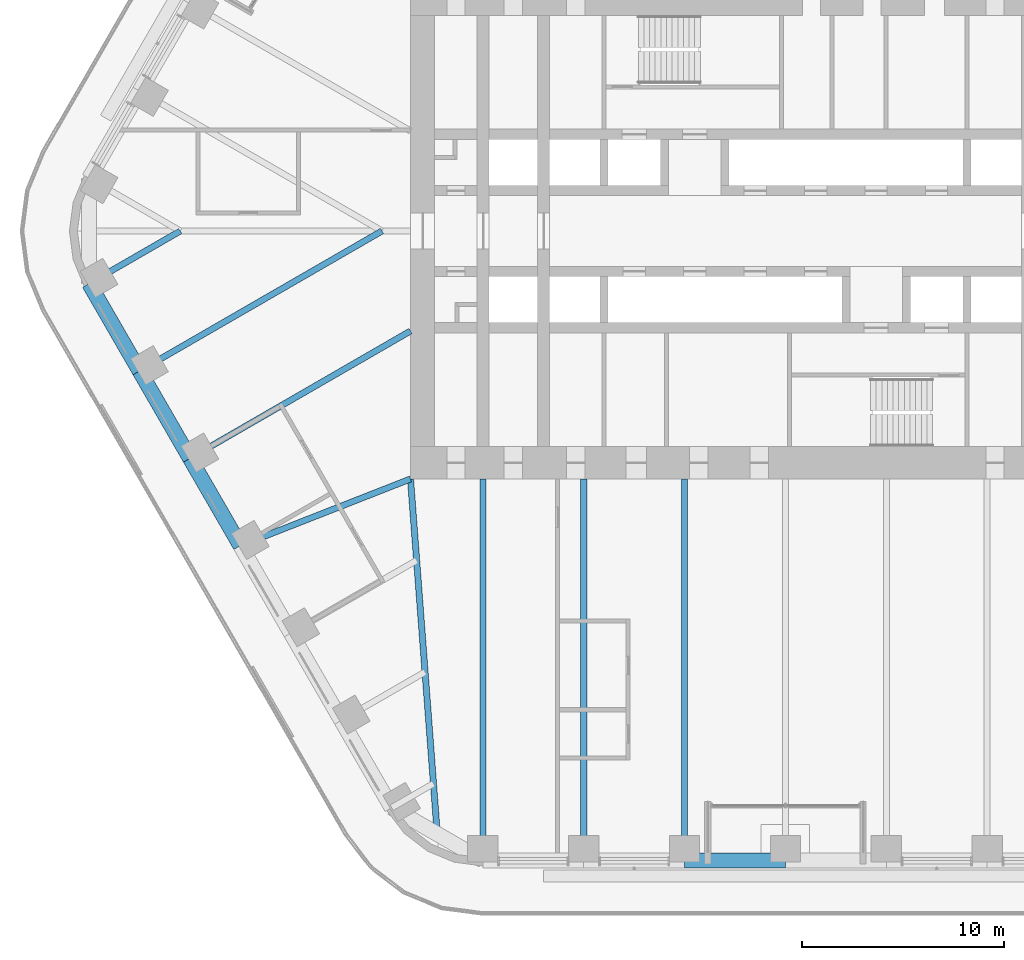
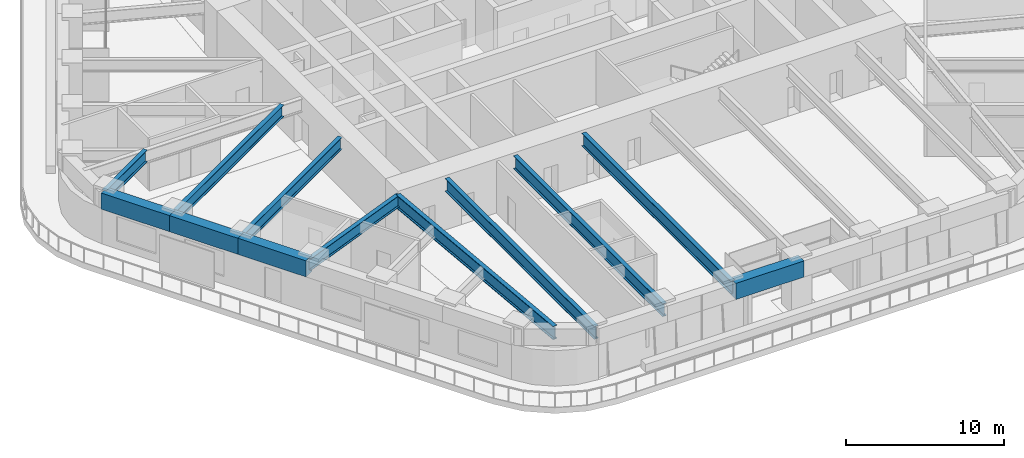
# One storey, part 3 of 24: 12 beams.
"""IFC4 building model written with IfcOpenShell, lengths in metres."""

from ifc_helpers import new_model, si_unit, direction, frame, origin, origin_2d, place, context, subcontext, project, spatial, rectangle, i_section, extrude, material, material_profile, profile_set, type_object, element, save


model = new_model("IFC4")

# Units and contexts
model_context = context("Model", 3, precision=1e-05, world=origin(), true_north=direction((0.0, 1.0)))
body_context = subcontext(model_context, "Body", "Model", "MODEL_VIEW")
ifc_project = project(units=[si_unit("LENGTHUNIT", "METRE"), si_unit("AREAUNIT", "SQUARE_METRE"), si_unit("VOLUMEUNIT", "CUBIC_METRE"), si_unit("PLANEANGLEUNIT", "RADIAN"), si_unit("MASSUNIT", "GRAM", prefix="KILO")], contexts=[model_context])

# Site, building, storey
site_placement = place(None, origin())
site = spatial("IfcSite", under=ifc_project, at=site_placement, CompositionType="ELEMENT")
building_placement = place(site_placement, origin())
building = spatial("IfcBuilding", under=site, at=building_placement, Name="Tarfa Lantern Tower", CompositionType="ELEMENT")
storey_placement = place(building_placement, frame((0.0, 0.0, 186.699951171875)))
storey = spatial("IfcBuildingStorey", under=building, at=storey_placement, Name="L42", CompositionType="ELEMENT", Elevation=186.699951171875)

# Beams
ifc_material_1 = material(Name="Concrete C80/95", Category="concrete")
ifc_material_profile_1 = material_profile(ifc_material_1, rectangle(XDim=0.75, YDim=1.25, at=origin_2d()), Name="RC 750x1250")
ifc_profile_set_1 = profile_set([ifc_material_profile_1], Name="Concrete C80/95")
beam_type_1 = type_object("IfcBeamType", Name="EB2 RC 750x1250", PredefinedType="SPANDREL", material=ifc_profile_set_1)
for number, where, z_axis, x_axis, name in (
    (1, (-34.54296875, -2.610107421875, 3.375), (0.500022324899, -0.866012514114, 0.0), (0.866012514114, 0.500022324899, 0.0), "Edge beam SW0"),
    (2, (-32.041015625, -6.943359375, 3.375), (0.500022324899, -0.866012514114, 0.0), (0.866012514114, 0.500022324899, 0.0), "Edge beam SW1"),
    (3, (-29.5390625, -11.276611328125, 3.375), (0.499964603504, -0.866045838996, 0.0), (0.866045838996, 0.499964603504, 0.0), "Edge beam SW2"),
    (4, (-5.003662109375, -31.219970703125, 3.375), (1.0, 0.0, 0.0), (0.0, 1.0, 0.0), "Edge beam S2"),
):
    element("IfcBeam", number, at=place(storey_placement, frame(where, z_axis=z_axis, x_axis=x_axis)), inside=storey, type_object=beam_type_1, Name=name, PredefinedType="SPANDREL", context=body_context, shape_type="SweptSolid", body=[
        extrude(rectangle(XDim=0.75, YDim=1.25, at=origin_2d()), origin(), (0.0, 0.0, 1.0), 5.003662109375),
    ])
ifc_material_2 = material(Name="Steel S460M", Category="steel")
ifc_material_profile_2 = material_profile(ifc_material_2, i_section(OverallWidth=0.302001953125, OverallDepth=1.008056640625, WebThickness=0.02099609375, FlangeThickness=0.0400390625, FilletRadius=0.030029296875, at=origin_2d()), Name="UB1016x305x349")
ifc_profile_set_2 = profile_set([ifc_material_profile_2], Name="Steel S460M")
beam_type_2 = type_object("IfcBeamType", Name="UB1016x305x349", PredefinedType="BEAM", material=ifc_profile_set_2)
for number, where, z_axis, x_axis, name in (
    (5, (-15.010986328125, -31.219970703125, 3.49609375), (0.0, 1.0, 0.0), (-1.0, 0.0, 0.0), "Floor beam S0"),
    (6, (-10.00732421875, -31.219970703125, 3.49609375), (0.0, 1.0, 0.0), (-1.0, 0.0, 0.0), "Floor beam S1"),
    (7, (-5.003662109375, -31.219970703125, 3.49609375), (0.0, 1.0, 0.0), (-1.0, 0.0, 0.0), "Floor beam S2"),
):
    element("IfcBeam", number, at=place(storey_placement, frame(where, z_axis=z_axis, x_axis=x_axis)), inside=storey, type_object=beam_type_2, Name=name, PredefinedType="BEAM", context=body_context, shape_type="SweptSolid", body=[
        extrude(i_section(OverallWidth=0.302001953125, OverallDepth=1.008056640625, WebThickness=0.02099609375, FlangeThickness=0.0400390625, FilletRadius=0.030029296875, at=origin_2d()), origin(), (0.0, 0.0, 1.0), 18.919921875),
    ])
ifc_material_profile_3 = material_profile(ifc_material_2, i_section(OverallWidth=0.30859375, OverallDepth=1.036376953125, WebThickness=0.030029296875, FlangeThickness=0.05419921875, FilletRadius=0.030029296875, at=origin_2d()), Name="UB1016x305x487")
ifc_profile_set_3 = profile_set([ifc_material_profile_3], Name="Steel S460M")
beam_type_3 = type_object("IfcBeamType", Name="UB1016x305x487", PredefinedType="BEAM", material=ifc_profile_set_3)
beam_1_placement = place(storey_placement, frame((-18.60009765625, -12.300048828125, 3.48193359375), z_axis=(0.075211516041, -0.99716760269, 0.0), x_axis=(0.99716760269, 0.075211516041, 0.0)))
element("IfcBeam", 8, at=beam_1_placement, inside=storey, type_object=beam_type_3, Name="Hip girder SW", PredefinedType="BEAM", context=body_context, shape_type="SweptSolid", body=[
    extrude(i_section(OverallWidth=0.30859375, OverallDepth=1.036376953125, WebThickness=0.030029296875, FlangeThickness=0.05419921875, FilletRadius=0.030029296875, at=origin_2d()), origin(), (0.0, 0.0, 1.0), 17.6650390625),
])
ifc_material_profile_4 = material_profile(ifc_material_2, i_section(OverallWidth=0.305419921875, OverallDepth=0.91845703125, WebThickness=0.017333984375, FlangeThickness=0.02783203125, FilletRadius=0.01904296875, at=origin_2d()), Name="UB914x305x253")
ifc_profile_set_4 = profile_set([ifc_material_profile_4], Name="Steel S460M")
beam_type_4 = type_object("IfcBeamType", Name="UB914x305x253", PredefinedType="BEAM", material=ifc_profile_set_4)
beam_2_placement = place(storey_placement, frame((-34.54296875, -2.610107421875, 3.540771484375), z_axis=(0.866021250859, 0.500007193008, 0.0), x_axis=(-0.500007193008, 0.866021250859, 0.0)))
element("IfcBeam", 9, at=beam_2_placement, inside=storey, type_object=beam_type_4, Name="Floor beam SW0", PredefinedType="BEAM", context=body_context, shape_type="SweptSolid", body=[
    extrude(i_section(OverallWidth=0.305419921875, OverallDepth=0.91845703125, WebThickness=0.017333984375, FlangeThickness=0.02783203125, FilletRadius=0.01904296875, at=origin_2d()), origin(), (0.0, 0.0, 1.0), 5.22021484375),
])
beam_3_placement = place(storey_placement, frame((-32.041015625, -6.943359375, 3.540771484375), z_axis=(0.866023096411, 0.500003996466, 0.0), x_axis=(-0.500003996466, 0.866023096411, 0.0)))
element("IfcBeam", 10, at=beam_3_placement, inside=storey, type_object=beam_type_4, Name="Floor beam SW1", PredefinedType="BEAM", context=body_context, shape_type="SweptSolid", body=[
    extrude(i_section(OverallWidth=0.305419921875, OverallDepth=0.91845703125, WebThickness=0.017333984375, FlangeThickness=0.02783203125, FilletRadius=0.01904296875, at=origin_2d()), origin(), (0.0, 0.0, 1.0), 13.88671875),
])
beam_4_placement = place(storey_placement, frame((-29.5390625, -11.276611328125, 3.540771484375), z_axis=(0.866023362995, 0.500003534735, 0.0), x_axis=(-0.500003534735, 0.866023362995, 0.0)))
element("IfcBeam", 11, at=beam_4_placement, inside=storey, type_object=beam_type_4, Name="Floor beam SW2", PredefinedType="BEAM", context=body_context, shape_type="SweptSolid", body=[
    extrude(i_section(OverallWidth=0.305419921875, OverallDepth=0.91845703125, WebThickness=0.017333984375, FlangeThickness=0.02783203125, FilletRadius=0.01904296875, at=origin_2d()), origin(), (0.0, 0.0, 1.0), 12.63134765625),
])
beam_5_placement = place(storey_placement, frame((-27.037353515625, -15.610107421875, 3.540771484375), z_axis=(0.930923282782, 0.365214788274, 0.0), x_axis=(-0.365214788274, 0.930923282782, 0.0)))
element("IfcBeam", 12, at=beam_5_placement, inside=storey, type_object=beam_type_4, Name="Floor beam SW3", PredefinedType="BEAM", context=body_context, shape_type="SweptSolid", body=[
    extrude(i_section(OverallWidth=0.305419921875, OverallDepth=0.91845703125, WebThickness=0.017333984375, FlangeThickness=0.02783203125, FilletRadius=0.01904296875, at=origin_2d()), origin(), (0.0, 0.0, 1.0), 9.063232421875),
])

save(model, "model.ifc")
